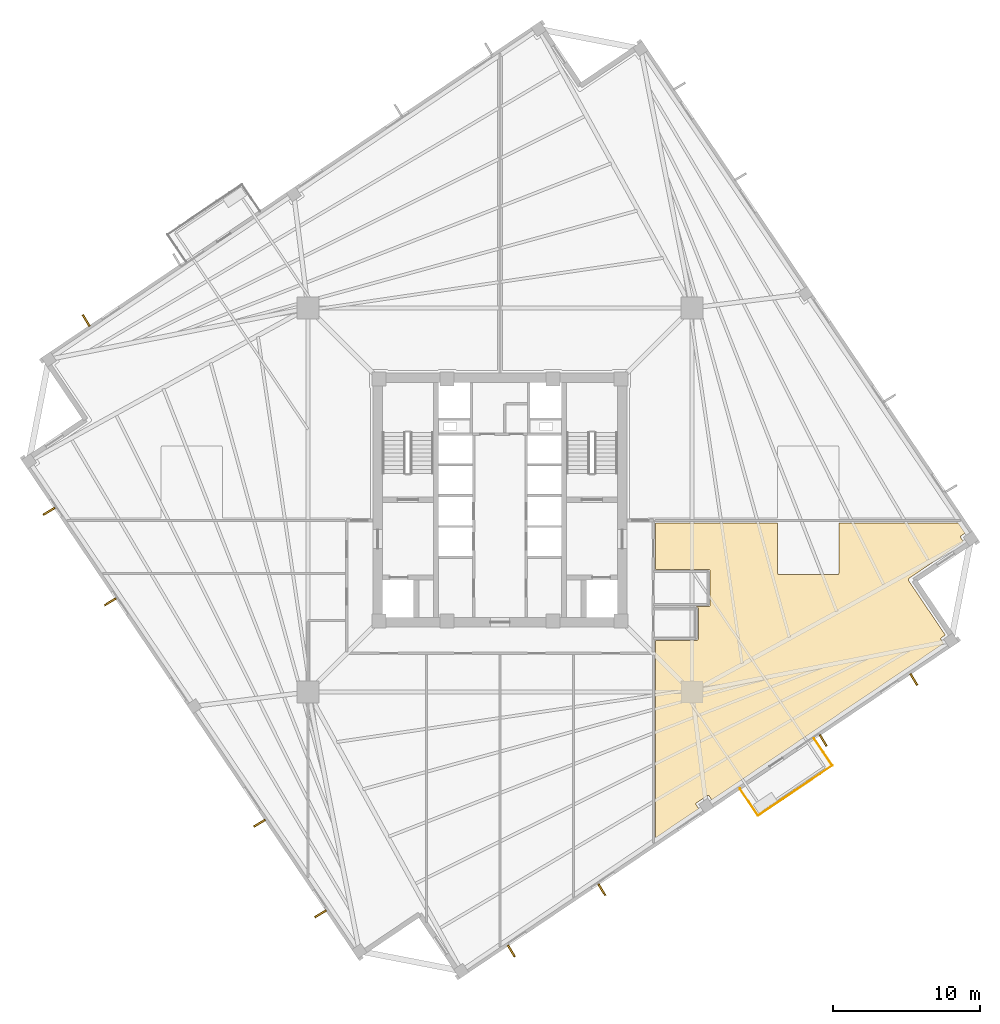
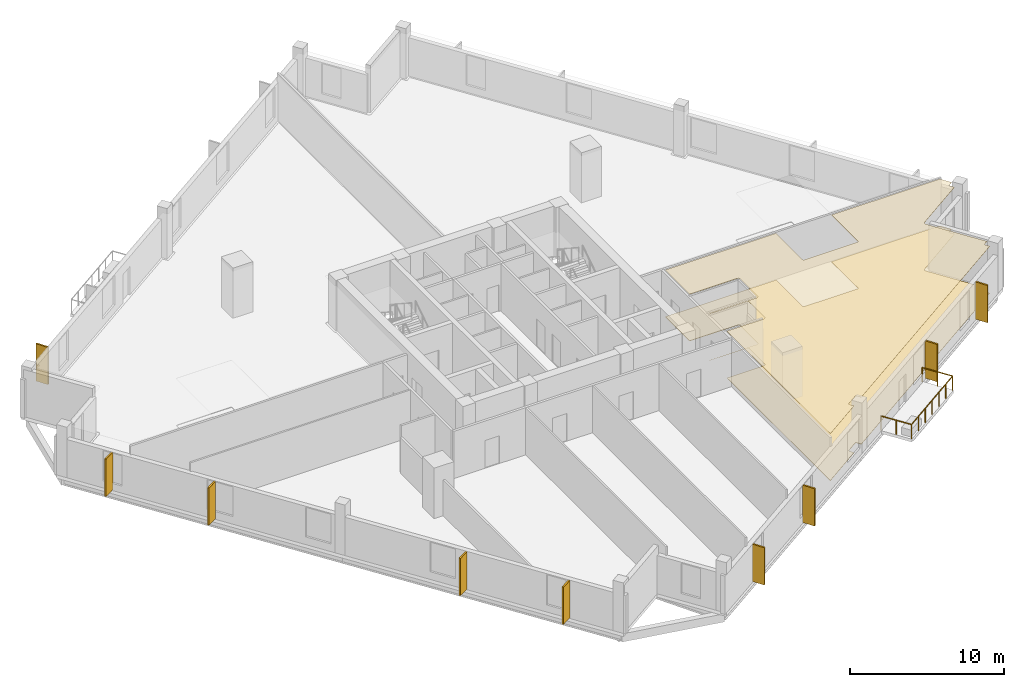
# One storey, part 6 of 8: 11 coverings, 3 railings.
"""IFC4 building model written with IfcOpenShell, lengths in metres."""

from ifc_helpers import new_model, si_unit, direction, frame, origin, origin_2d, place, context, subcontext, project, spatial, polyline, rectangle, circle, outline, extrude, source, transform, mapped, material, layer, layer_set, type_object, element, save


model = new_model("IFC4")

# Units and contexts
model_context = context("Model", 3, precision=1e-05, world=origin(), true_north=direction((0.0, 1.0)))
body_context = subcontext(model_context, "Body", "Model", "MODEL_VIEW")
ifc_project = project(units=[si_unit("LENGTHUNIT", "METRE"), si_unit("AREAUNIT", "SQUARE_METRE"), si_unit("VOLUMEUNIT", "CUBIC_METRE"), si_unit("PLANEANGLEUNIT", "RADIAN"), si_unit("MASSUNIT", "GRAM", prefix="KILO"), si_unit("THERMODYNAMICTEMPERATUREUNIT", "KELVIN")], contexts=[model_context])

# Site, building, storey
site_placement = place(None, origin())
site = spatial("IfcSite", under=ifc_project, at=site_placement, CompositionType="ELEMENT")
building_placement = place(site_placement, origin())
building = spatial("IfcBuilding", under=site, at=building_placement, Name="Kosmvard Interchange Tower", CompositionType="ELEMENT")
storey_placement = place(building_placement, frame((0.0, 0.0, 148.39990234375)))
storey = spatial("IfcBuildingStorey", under=building, at=storey_placement, Name="L35", CompositionType="ELEMENT", Elevation=148.39990234375)

# Coverings
ifc_material_1 = material(Name="Acoustic gypsum ceiling tile")
ifc_layer_1 = layer(ifc_material_1, 0.02490234375, Name="Acoustic gypsum ceiling tile")
ifc_layer_set_1 = layer_set([ifc_layer_1], Name="Acoustic gypsum ceiling tile")
covering_type_1 = type_object("IfcCoveringType", Name="Acoustic Perforated Suspended Ceiling 25", PredefinedType="CEILING", material=ifc_layer_set_1)
covering_1_placement = place(storey_placement, frame((0.0, 0.0, 3.715087890625)))
element("IfcCovering", 1, at=covering_1_placement, inside=storey, type_object=covering_type_1, Name="L35 Acoustic Ceiling L35-OPSE", PredefinedType="CEILING", context=body_context, shape_type="SweptSolid", body=[
    extrude(outline(polyline([(10.60498046875, -10.061279296875), (10.606201171875, -10.06591796875), (10.607666015625, -10.07373046875), (10.60888671875, -10.080810546875), (10.609619140625, -10.088623046875), (10.60986328125, -10.09619140625), (10.610107421875, -10.10009765625), (10.610107421875, -23.0048828125), (13.5390625, -21.029296875), (13.351806640625, -20.75146484375), (13.34765625, -20.744873046875), (13.34423828125, -20.73779296875), (13.341552734375, -20.73046875), (13.339599609375, -20.72265625), (13.33837890625, -20.715087890625), (13.338134765625, -20.70703125), (13.33837890625, -20.69921875), (13.339599609375, -20.69140625), (13.34130859375, -20.683837890625), (13.343994140625, -20.676513671875), (13.347412109375, -20.66943359375), (13.351318359375, -20.66259765625), (13.35595703125, -20.65625), (13.361328125, -20.650390625), (13.366943359375, -20.645263671875), (13.373291015625, -20.640380859375), (14.127685546875, -20.131591796875), (14.134521484375, -20.12744140625), (14.1416015625, -20.124267578125), (14.14892578125, -20.12158203125), (14.156494140625, -20.11962890625), (14.164306640625, -20.118408203125), (14.172119140625, -20.117919921875), (14.179931640625, -20.1181640625), (14.187744140625, -20.119384765625), (14.1953125, -20.121337890625), (14.202880859375, -20.123779296875), (14.2099609375, -20.127197265625), (14.216552734375, -20.131103515625), (14.222900390625, -20.1357421875), (14.228759765625, -20.14111328125), (14.234130859375, -20.14697265625), (14.23876953125, -20.153076171875), (14.42626953125, -20.430908203125), (30.223388671875, -9.775390625), (30.0361328125, -9.497802734375), (30.031982421875, -9.490966796875), (30.028564453125, -9.48388671875), (30.02587890625, -9.4765625), (30.024169921875, -9.468994140625), (30.02294921875, -9.461181640625), (30.0224609375, -9.453369140625), (30.022705078125, -9.445556640625), (30.02392578125, -9.437744140625), (30.02587890625, -9.43017578125), (30.0283203125, -9.4228515625), (30.03173828125, -9.41552734375), (30.03564453125, -9.408935546875), (30.040283203125, -9.402587890625), (30.045654296875, -9.396728515625), (30.051513671875, -9.391357421875), (30.0576171875, -9.38671875), (30.33544921875, -9.199462890625), (27.858154296875, -5.52685546875), (27.856201171875, -5.5234375), (27.852294921875, -5.51708984375), (27.8486328125, -5.51025390625), (27.845458984375, -5.503662109375), (27.84228515625, -5.496337890625), (27.83984375, -5.489501953125), (27.837646484375, -5.48193359375), (27.835693359375, -5.474853515625), (27.834228515625, -5.467041015625), (27.8330078125, -5.459716796875), (27.832275390625, -5.451904296875), (27.831787109375, -5.444580078125), (27.831787109375, -5.436767578125), (27.83203125, -5.429443359375), (27.832763671875, -5.421630859375), (27.833984375, -5.41455078125), (27.83544921875, -5.40673828125), (27.837158203125, -5.3994140625), (27.83935546875, -5.39208984375), (27.841796875, -5.385009765625), (27.844970703125, -5.377685546875), (27.847900390625, -5.37109375), (27.8515625, -5.3642578125), (27.85546875, -5.35791015625), (27.859619140625, -5.351318359375), (27.864013671875, -5.345458984375), (27.869140625, -5.33935546875), (27.8740234375, -5.333740234375), (27.87939453125, -5.328369140625), (27.884765625, -5.3232421875), (27.890869140625, -5.318115234375), (27.89697265625, -5.313720703125), (27.900146484375, -5.3115234375), (31.57275390625, -2.834228515625), (31.38525390625, -2.556640625), (31.38134765625, -2.5498046875), (31.3779296875, -2.542724609375), (31.375244140625, -2.535400390625), (31.373291015625, -2.52783203125), (31.3720703125, -2.52001953125), (31.37158203125, -2.51220703125), (31.3720703125, -2.50439453125), (31.373046875, -2.49658203125), (31.375, -2.489013671875), (31.377685546875, -2.481689453125), (31.380859375, -2.474365234375), (31.385009765625, -2.4677734375), (31.3896484375, -2.46142578125), (31.394775390625, -2.45556640625), (31.400634765625, -2.4501953125), (31.406982421875, -2.445556640625), (31.6845703125, -2.25830078125), (31.213623046875, -1.56005859375), (23.080078125, -1.56005859375), (23.080078125, -5.0), (23.07958984375, -5.0078125), (23.078369140625, -5.015625), (23.07666015625, -5.023193359375), (23.073974609375, -5.030517578125), (23.070556640625, -5.03759765625), (23.06640625, -5.04443359375), (23.061767578125, -5.05078125), (23.056640625, -5.056640625), (23.05078125, -5.061767578125), (23.04443359375, -5.06640625), (23.03759765625, -5.070556640625), (23.030517578125, -5.073974609375), (23.023193359375, -5.07666015625), (23.015625, -5.078369140625), (23.0078125, -5.07958984375), (23.0, -5.080078125), (19.0, -5.080078125), (18.9921875, -5.07958984375), (18.984375, -5.078369140625), (18.976806640625, -5.07666015625), (18.969482421875, -5.073974609375), (18.96240234375, -5.070556640625), (18.95556640625, -5.06640625), (18.94921875, -5.061767578125), (18.943359375, -5.056640625), (18.938232421875, -5.05078125), (18.93359375, -5.04443359375), (18.929443359375, -5.03759765625), (18.926025390625, -5.030517578125), (18.92333984375, -5.023193359375), (18.921630859375, -5.015625), (18.92041015625, -5.0078125), (18.919921875, -5.0), (18.919921875, -1.56005859375), (10.60498046875, -1.56005859375), (10.60498046875, -4.722900390625), (14.169921875, -4.722900390625), (14.173828125, -4.722900390625), (14.1806640625, -4.723388671875), (14.1884765625, -4.72412109375), (14.195068359375, -4.72509765625), (14.20263671875, -4.7265625), (14.209228515625, -4.728271484375), (14.216796875, -4.73046875), (14.222900390625, -4.73291015625), (14.230224609375, -4.73583984375), (14.236328125, -4.738525390625), (14.2431640625, -4.742431640625), (14.248779296875, -4.745849609375), (14.25537109375, -4.750244140625), (14.2607421875, -4.754150390625), (14.266845703125, -4.759033203125), (14.271728515625, -4.763671875), (14.27734375, -4.76904296875), (14.28173828125, -4.77392578125), (14.286865234375, -4.780029296875), (14.290771484375, -4.785400390625), (14.295166015625, -4.7919921875), (14.298583984375, -4.7978515625), (14.30224609375, -4.8046875), (14.30517578125, -4.810791015625), (14.30810546875, -4.81787109375), (14.310302734375, -4.82421875), (14.312744140625, -4.831787109375), (14.314208984375, -4.83837890625), (14.31591796875, -4.845947265625), (14.31689453125, -4.8525390625), (14.317626953125, -4.8603515625), (14.31787109375, -4.866943359375), (14.318115234375, -4.870849609375), (14.318115234375, -7.120849609375), (14.31787109375, -7.124755859375), (14.317626953125, -7.131591796875), (14.31689453125, -7.139404296875), (14.31591796875, -7.14599609375), (14.314208984375, -7.153564453125), (14.312744140625, -7.16015625), (14.310302734375, -7.16748046875), (14.30810546875, -7.173828125), (14.30517578125, -7.18115234375), (14.30224609375, -7.187255859375), (14.298583984375, -7.194091796875), (14.295166015625, -7.199951171875), (14.290771484375, -7.206298828125), (14.286865234375, -7.211669921875), (14.281982421875, -7.2177734375), (14.27734375, -7.22265625), (14.271728515625, -7.228271484375), (14.266845703125, -7.232666015625), (14.2607421875, -7.23779296875), (14.25537109375, -7.24169921875), (14.248779296875, -7.24609375), (14.2431640625, -7.24951171875), (14.236328125, -7.253173828125), (14.230224609375, -7.256103515625), (14.222900390625, -7.259033203125), (14.216796875, -7.26123046875), (14.209228515625, -7.263671875), (14.20263671875, -7.26513671875), (14.195068359375, -7.266845703125), (14.1884765625, -7.267822265625), (14.180419921875, -7.2685546875), (14.173828125, -7.268798828125), (14.169921875, -7.268798828125), (10.60498046875, -7.268798828125), (10.60498046875, -7.27197265625), (13.3701171875, -7.27197265625), (13.3740234375, -7.272216796875), (13.380615234375, -7.2724609375), (13.388427734375, -7.273193359375), (13.39501953125, -7.274169921875), (13.402587890625, -7.275634765625), (13.4091796875, -7.27734375), (13.416748046875, -7.279541015625), (13.423095703125, -7.281982421875), (13.43017578125, -7.284912109375), (13.436279296875, -7.28759765625), (13.443115234375, -7.29150390625), (13.448974609375, -7.294921875), (13.45556640625, -7.29931640625), (13.4609375, -7.30322265625), (13.466796875, -7.30810546875), (13.471923828125, -7.312744140625), (13.477294921875, -7.318115234375), (13.48193359375, -7.322998046875), (13.48681640625, -7.3291015625), (13.49072265625, -7.33447265625), (13.4951171875, -7.341064453125), (13.49853515625, -7.346923828125), (13.502197265625, -7.353759765625), (13.505126953125, -7.35986328125), (13.508056640625, -7.366943359375), (13.510498046875, -7.373291015625), (13.5126953125, -7.380859375), (13.514404296875, -7.38720703125), (13.515869140625, -7.39501953125), (13.516845703125, -7.401611328125), (13.517578125, -7.409423828125), (13.517822265625, -7.416015625), (13.51806640625, -7.419921875), (13.51806640625, -9.419921875), (13.517822265625, -9.423828125), (13.517578125, -9.4306640625), (13.516845703125, -9.4384765625), (13.515869140625, -9.445068359375), (13.514404296875, -9.45263671875), (13.5126953125, -9.459228515625), (13.510498046875, -9.466796875), (13.508056640625, -9.472900390625), (13.505126953125, -9.480224609375), (13.502197265625, -9.486328125), (13.49853515625, -9.4931640625), (13.4951171875, -9.498779296875), (13.49072265625, -9.50537109375), (13.48681640625, -9.5107421875), (13.48193359375, -9.516845703125), (13.477294921875, -9.521728515625), (13.471923828125, -9.52734375), (13.466796875, -9.53173828125), (13.4609375, -9.536865234375), (13.45556640625, -9.540771484375), (13.448974609375, -9.545166015625), (13.443115234375, -9.548583984375), (13.436279296875, -9.55224609375), (13.43017578125, -9.55517578125), (13.423095703125, -9.55810546875), (13.416748046875, -9.560302734375), (13.4091796875, -9.562744140625), (13.402587890625, -9.564208984375), (13.39501953125, -9.56591796875), (13.388427734375, -9.56689453125), (13.380615234375, -9.567626953125), (13.3740234375, -9.56787109375), (13.3701171875, -9.568115234375), (10.60498046875, -9.568115234375), (10.60498046875, -10.061279296875)])), origin(), (0.0, 0.0, 1.0), 0.02490234375),
])
ifc_material_2 = material(Name="Polished terrazzo flooring")
ifc_layer_2 = layer(ifc_material_2, 0.030029296875, Name="Polished terrazzo flooring")
ifc_layer_set_2 = layer_set([ifc_layer_2], Name="Polished terrazzo flooring")
covering_type_2 = type_object("IfcCoveringType", Name="Heavy-Duty Terrazzo & Porcelain Flooring 30", PredefinedType="FLOORING", material=ifc_layer_set_2)
covering_2_placement = place(storey_placement, origin())
element("IfcCovering", 2, at=covering_2_placement, inside=storey, type_object=covering_type_2, Name="L35 Floor Finish L35-OPSE", PredefinedType="FLOORING", context=body_context, shape_type="SweptSolid", body=[
    extrude(outline(polyline([(10.60498046875, -10.061279296875), (10.606201171875, -10.06591796875), (10.607666015625, -10.07373046875), (10.60888671875, -10.080810546875), (10.609619140625, -10.088623046875), (10.60986328125, -10.09619140625), (10.610107421875, -10.10009765625), (10.610107421875, -23.0048828125), (13.5390625, -21.029296875), (13.351806640625, -20.75146484375), (13.34765625, -20.744873046875), (13.34423828125, -20.73779296875), (13.341552734375, -20.73046875), (13.339599609375, -20.72265625), (13.33837890625, -20.715087890625), (13.338134765625, -20.70703125), (13.33837890625, -20.69921875), (13.339599609375, -20.69140625), (13.34130859375, -20.683837890625), (13.343994140625, -20.676513671875), (13.347412109375, -20.66943359375), (13.351318359375, -20.66259765625), (13.35595703125, -20.65625), (13.361328125, -20.650390625), (13.366943359375, -20.645263671875), (13.373291015625, -20.640380859375), (14.127685546875, -20.131591796875), (14.134521484375, -20.12744140625), (14.1416015625, -20.124267578125), (14.14892578125, -20.12158203125), (14.156494140625, -20.11962890625), (14.164306640625, -20.118408203125), (14.172119140625, -20.117919921875), (14.179931640625, -20.1181640625), (14.187744140625, -20.119384765625), (14.1953125, -20.121337890625), (14.202880859375, -20.123779296875), (14.2099609375, -20.127197265625), (14.216552734375, -20.131103515625), (14.222900390625, -20.1357421875), (14.228759765625, -20.14111328125), (14.234130859375, -20.14697265625), (14.23876953125, -20.153076171875), (14.42626953125, -20.430908203125), (30.223388671875, -9.775390625), (30.0361328125, -9.497802734375), (30.031982421875, -9.490966796875), (30.028564453125, -9.48388671875), (30.02587890625, -9.4765625), (30.024169921875, -9.468994140625), (30.02294921875, -9.461181640625), (30.0224609375, -9.453369140625), (30.022705078125, -9.445556640625), (30.02392578125, -9.437744140625), (30.02587890625, -9.43017578125), (30.0283203125, -9.4228515625), (30.03173828125, -9.41552734375), (30.03564453125, -9.408935546875), (30.040283203125, -9.402587890625), (30.045654296875, -9.396728515625), (30.051513671875, -9.391357421875), (30.0576171875, -9.38671875), (30.33544921875, -9.199462890625), (27.858154296875, -5.52685546875), (27.856201171875, -5.5234375), (27.852294921875, -5.51708984375), (27.8486328125, -5.51025390625), (27.845458984375, -5.503662109375), (27.84228515625, -5.496337890625), (27.83984375, -5.489501953125), (27.837646484375, -5.48193359375), (27.835693359375, -5.474853515625), (27.834228515625, -5.467041015625), (27.8330078125, -5.459716796875), (27.832275390625, -5.451904296875), (27.831787109375, -5.444580078125), (27.831787109375, -5.436767578125), (27.83203125, -5.429443359375), (27.832763671875, -5.421630859375), (27.833984375, -5.41455078125), (27.83544921875, -5.40673828125), (27.837158203125, -5.3994140625), (27.83935546875, -5.39208984375), (27.841796875, -5.385009765625), (27.844970703125, -5.377685546875), (27.847900390625, -5.37109375), (27.8515625, -5.3642578125), (27.85546875, -5.35791015625), (27.859619140625, -5.351318359375), (27.864013671875, -5.345458984375), (27.869140625, -5.33935546875), (27.8740234375, -5.333740234375), (27.87939453125, -5.328369140625), (27.884765625, -5.3232421875), (27.890869140625, -5.318115234375), (27.89697265625, -5.313720703125), (27.900146484375, -5.3115234375), (31.57275390625, -2.834228515625), (31.38525390625, -2.556640625), (31.38134765625, -2.5498046875), (31.3779296875, -2.542724609375), (31.375244140625, -2.535400390625), (31.373291015625, -2.52783203125), (31.3720703125, -2.52001953125), (31.37158203125, -2.51220703125), (31.3720703125, -2.50439453125), (31.373046875, -2.49658203125), (31.375, -2.489013671875), (31.377685546875, -2.481689453125), (31.380859375, -2.474365234375), (31.385009765625, -2.4677734375), (31.3896484375, -2.46142578125), (31.394775390625, -2.45556640625), (31.400634765625, -2.4501953125), (31.406982421875, -2.445556640625), (31.6845703125, -2.25830078125), (31.213623046875, -1.56005859375), (23.080078125, -1.56005859375), (23.080078125, -5.0), (23.07958984375, -5.0078125), (23.078369140625, -5.015625), (23.07666015625, -5.023193359375), (23.073974609375, -5.030517578125), (23.070556640625, -5.03759765625), (23.06640625, -5.04443359375), (23.061767578125, -5.05078125), (23.056640625, -5.056640625), (23.05078125, -5.061767578125), (23.04443359375, -5.06640625), (23.03759765625, -5.070556640625), (23.030517578125, -5.073974609375), (23.023193359375, -5.07666015625), (23.015625, -5.078369140625), (23.0078125, -5.07958984375), (23.0, -5.080078125), (19.0, -5.080078125), (18.9921875, -5.07958984375), (18.984375, -5.078369140625), (18.976806640625, -5.07666015625), (18.969482421875, -5.073974609375), (18.96240234375, -5.070556640625), (18.95556640625, -5.06640625), (18.94921875, -5.061767578125), (18.943359375, -5.056640625), (18.938232421875, -5.05078125), (18.93359375, -5.04443359375), (18.929443359375, -5.03759765625), (18.926025390625, -5.030517578125), (18.92333984375, -5.023193359375), (18.921630859375, -5.015625), (18.92041015625, -5.0078125), (18.919921875, -5.0), (18.919921875, -1.56005859375), (10.60498046875, -1.56005859375), (10.60498046875, -4.722900390625), (14.169921875, -4.722900390625), (14.173828125, -4.722900390625), (14.1806640625, -4.723388671875), (14.1884765625, -4.72412109375), (14.195068359375, -4.72509765625), (14.20263671875, -4.7265625), (14.209228515625, -4.728271484375), (14.216796875, -4.73046875), (14.222900390625, -4.73291015625), (14.230224609375, -4.73583984375), (14.236328125, -4.738525390625), (14.2431640625, -4.742431640625), (14.248779296875, -4.745849609375), (14.25537109375, -4.750244140625), (14.2607421875, -4.754150390625), (14.266845703125, -4.759033203125), (14.271728515625, -4.763671875), (14.27734375, -4.76904296875), (14.28173828125, -4.77392578125), (14.286865234375, -4.780029296875), (14.290771484375, -4.785400390625), (14.295166015625, -4.7919921875), (14.298583984375, -4.7978515625), (14.30224609375, -4.8046875), (14.30517578125, -4.810791015625), (14.30810546875, -4.81787109375), (14.310302734375, -4.82421875), (14.312744140625, -4.831787109375), (14.314208984375, -4.83837890625), (14.31591796875, -4.845947265625), (14.31689453125, -4.8525390625), (14.317626953125, -4.8603515625), (14.31787109375, -4.866943359375), (14.318115234375, -4.870849609375), (14.318115234375, -7.120849609375), (14.31787109375, -7.124755859375), (14.317626953125, -7.131591796875), (14.31689453125, -7.139404296875), (14.31591796875, -7.14599609375), (14.314208984375, -7.153564453125), (14.312744140625, -7.16015625), (14.310302734375, -7.16748046875), (14.30810546875, -7.173828125), (14.30517578125, -7.18115234375), (14.30224609375, -7.187255859375), (14.298583984375, -7.194091796875), (14.295166015625, -7.199951171875), (14.290771484375, -7.206298828125), (14.286865234375, -7.211669921875), (14.281982421875, -7.2177734375), (14.27734375, -7.22265625), (14.271728515625, -7.228271484375), (14.266845703125, -7.232666015625), (14.2607421875, -7.23779296875), (14.25537109375, -7.24169921875), (14.248779296875, -7.24609375), (14.2431640625, -7.24951171875), (14.236328125, -7.253173828125), (14.230224609375, -7.256103515625), (14.222900390625, -7.259033203125), (14.216796875, -7.26123046875), (14.209228515625, -7.263671875), (14.20263671875, -7.26513671875), (14.195068359375, -7.266845703125), (14.1884765625, -7.267822265625), (14.180419921875, -7.2685546875), (14.173828125, -7.268798828125), (14.169921875, -7.268798828125), (10.60498046875, -7.268798828125), (10.60498046875, -7.27197265625), (13.3701171875, -7.27197265625), (13.3740234375, -7.272216796875), (13.380615234375, -7.2724609375), (13.388427734375, -7.273193359375), (13.39501953125, -7.274169921875), (13.402587890625, -7.275634765625), (13.4091796875, -7.27734375), (13.416748046875, -7.279541015625), (13.423095703125, -7.281982421875), (13.43017578125, -7.284912109375), (13.436279296875, -7.28759765625), (13.443115234375, -7.29150390625), (13.448974609375, -7.294921875), (13.45556640625, -7.29931640625), (13.4609375, -7.30322265625), (13.466796875, -7.30810546875), (13.471923828125, -7.312744140625), (13.477294921875, -7.318115234375), (13.48193359375, -7.322998046875), (13.48681640625, -7.3291015625), (13.49072265625, -7.33447265625), (13.4951171875, -7.341064453125), (13.49853515625, -7.346923828125), (13.502197265625, -7.353759765625), (13.505126953125, -7.35986328125), (13.508056640625, -7.366943359375), (13.510498046875, -7.373291015625), (13.5126953125, -7.380859375), (13.514404296875, -7.38720703125), (13.515869140625, -7.39501953125), (13.516845703125, -7.401611328125), (13.517578125, -7.409423828125), (13.517822265625, -7.416015625), (13.51806640625, -7.419921875), (13.51806640625, -9.419921875), (13.517822265625, -9.423828125), (13.517578125, -9.4306640625), (13.516845703125, -9.4384765625), (13.515869140625, -9.445068359375), (13.514404296875, -9.45263671875), (13.5126953125, -9.459228515625), (13.510498046875, -9.466796875), (13.508056640625, -9.472900390625), (13.505126953125, -9.480224609375), (13.502197265625, -9.486328125), (13.49853515625, -9.4931640625), (13.4951171875, -9.498779296875), (13.49072265625, -9.50537109375), (13.48681640625, -9.5107421875), (13.48193359375, -9.516845703125), (13.477294921875, -9.521728515625), (13.471923828125, -9.52734375), (13.466796875, -9.53173828125), (13.4609375, -9.536865234375), (13.45556640625, -9.540771484375), (13.448974609375, -9.545166015625), (13.443115234375, -9.548583984375), (13.436279296875, -9.55224609375), (13.43017578125, -9.55517578125), (13.423095703125, -9.55810546875), (13.416748046875, -9.560302734375), (13.4091796875, -9.562744140625), (13.402587890625, -9.564208984375), (13.39501953125, -9.56591796875), (13.388427734375, -9.56689453125), (13.380615234375, -9.567626953125), (13.3740234375, -9.56787109375), (13.3701171875, -9.568115234375), (10.60498046875, -9.568115234375), (10.60498046875, -10.061279296875)])), origin(), (0.0, 0.0, 1.0), 0.030029296875),
])
ifc_material_3 = material(Name="Architectural anodised aluminium", Category="aluminium")
ifc_layer_3 = layer(ifc_material_3, 0.1201171875, Name="Architectural anodised aluminium")
ifc_layer_set_3 = layer_set([ifc_layer_3], Name="Architectural anodised aluminium")
covering_type_3 = type_object("IfcCoveringType", Name="Rotating Vertical Sun-Breaker Fin 900x120 Aluminium", PredefinedType="CLADDING", material=ifc_layer_set_3)
shared_shape_1 = source(origin(), body_context, "Body", "SweptSolid", [
    extrude(rectangle(XDim=0.89990234375, YDim=0.1201171875, at=origin_2d()), origin(), (0.0, 0.0, 1.0), 2.9599609375),
])
for number, where, z_axis, x_axis, name in (
    (3, (0.774169921875, -30.718994140625, 0.0400390625), (0.0, 0.0, 1.0), (0.522796160442, -0.852457726006, 0.0), "L35 Rotating Vertical Sun-Breaker Fin 01"),
    (4, (6.943115234375, -26.557861328125, 0.0400390625), (0.0, 0.0, 1.0), (0.522796160442, -0.852457726006, 0.0), "L35 Rotating Vertical Sun-Breaker Fin 02"),
    (5, (22.02294921875, -16.38623046875, 0.0400390625), (0.0, 0.0, 1.0), (0.522796160442, -0.852457726006, 0.0), "L35 Rotating Vertical Sun-Breaker Fin 03"),
    (6, (28.192138671875, -12.225341796875, 0.0400390625), (0.0, 0.0, 1.0), (0.522796160442, -0.852457726006, 0.0), "L35 Rotating Vertical Sun-Breaker Fin 04"),
    (7, (-28.192138671875, 12.225341796875, 0.0400390625), (0.0, 0.0, 1.0), (-0.522796160442, 0.852457726006, 0.0), "L35 Rotating Vertical Sun-Breaker Fin 12"),
    (8, (-30.718994140625, -0.774169921875, 0.0400390625), (0.0, 0.0, 1.0), (-0.852457726006, -0.522796160442, 0.0), "L35 Rotating Vertical Sun-Breaker Fin 13"),
    (9, (-26.557861328125, -6.943115234375, 0.0400390625), (0.0, 0.0, 1.0), (-0.852457726006, -0.522796160442, 0.0), "L35 Rotating Vertical Sun-Breaker Fin 14"),
    (10, (-16.38623046875, -22.02294921875, 0.0400390625), (0.0, 0.0, 1.0), (-0.852457726006, -0.522796160442, 0.0), "L35 Rotating Vertical Sun-Breaker Fin 15"),
    (11, (-12.225341796875, -28.192138671875, 0.0400390625), (0.0, 0.0, 1.0), (-0.852457726006, -0.522796160442, 0.0), "L35 Rotating Vertical Sun-Breaker Fin 16"),
):
    element("IfcCovering", number, at=place(storey_placement, frame(where, z_axis=z_axis, x_axis=x_axis)), inside=storey, type_object=covering_type_3, Name=name, PredefinedType="CLADDING", context=body_context, shape_type="MappedRepresentation", body=[
        mapped(shared_shape_1, transform((0.0, 0.0, 0.0), scale=1.0)),
    ])

# Railings
ifc_material_4 = material(Name="Steel S355", Category="steel")
railing_type = type_object("IfcRailingType", Name="Observation & Balcony Glass-Infill Balustrade 1150", PredefinedType="BALUSTRADE", material=ifc_material_4)
shared_shape_2 = source(origin(), body_context, "Body", "SweptSolid", [
    extrude(circle(Radius=0.02392578125, at=origin_2d()), frame((0.0, 0.0, 1.1259765625), z_axis=(0.559173597279, -0.829050594418, 0.0), x_axis=(0.829050594418, 0.559173597279, 0.0)), (0.0, 0.0, 1.0), 2.2001953125),
    extrude(circle(Radius=0.02099609375, at=origin_2d()), origin(), (0.0, 0.0, 1.0), 1.101806640625),
    extrude(circle(Radius=0.02099609375, at=origin_2d()), frame((0.615234375, -0.912109375, 0.0)), (0.0, 0.0, 1.0), 1.101806640625),
    extrude(circle(Radius=0.02099609375, at=origin_2d()), frame((1.230224609375, -1.823974609375, 0.0)), (0.0, 0.0, 1.0), 1.101806640625),
])
railing_1_placement = place(storey_placement, frame((16.345458984375, -19.673095703125, 0.0)))
element("IfcRailing", 12, at=railing_1_placement, inside=storey, type_object=railing_type, Name="L35 Outdoor Terrace Guard BAL-L35-SW-A", PredefinedType="BALUSTRADE", context=body_context, shape_type="MappedRepresentation", body=[
    mapped(shared_shape_2, transform((0.0, 0.0, 0.0), scale=1.0)),
])
shared_shape_3 = source(origin(), body_context, "Body", "SweptSolid", [
    extrude(circle(Radius=0.02392578125, at=origin_2d()), frame((0.0, 0.0, 1.1259765625), z_axis=(0.829033294248, 0.55919924627, 0.0), x_axis=(-0.55919924627, 0.829033294248, 0.0)), (0.0, 0.0, 1.0), 6.10009765625),
    extrude(circle(Radius=0.02099609375, at=origin_2d()), origin(), (0.0, 0.0, 1.0), 1.101806640625),
    extrude(circle(Radius=0.02099609375, at=origin_2d()), frame((0.8427734375, 0.568603515625, 0.0)), (0.0, 0.0, 1.0), 1.101806640625),
    extrude(circle(Radius=0.02099609375, at=origin_2d()), frame((1.685791015625, 1.136962890625, 0.0)), (0.0, 0.0, 1.0), 1.101806640625),
    extrude(circle(Radius=0.02099609375, at=origin_2d()), frame((2.528564453125, 1.70556640625, 0.0)), (0.0, 0.0, 1.0), 1.101806640625),
    extrude(circle(Radius=0.02099609375, at=origin_2d()), frame((3.371337890625, 2.274169921875, 0.0)), (0.0, 0.0, 1.0), 1.101806640625),
    extrude(circle(Radius=0.02099609375, at=origin_2d()), frame((4.21435546875, 2.842529296875, 0.0)), (0.0, 0.0, 1.0), 1.101806640625),
    extrude(circle(Radius=0.02099609375, at=origin_2d()), frame((5.05712890625, 3.4111328125, 0.0)), (0.0, 0.0, 1.0), 1.101806640625),
])
railing_2_placement = place(storey_placement, frame((17.57568359375, -21.4970703125, 0.0)))
element("IfcRailing", 13, at=railing_2_placement, inside=storey, type_object=railing_type, Name="L35 Outdoor Terrace Guard BAL-L35-SW-B", PredefinedType="BALUSTRADE", context=body_context, shape_type="MappedRepresentation", body=[
    mapped(shared_shape_3, transform((0.0, 0.0, 0.0), scale=1.0)),
])
shared_shape_4 = source(origin(), body_context, "Body", "SweptSolid", [
    extrude(circle(Radius=0.02392578125, at=origin_2d()), frame((0.0, 0.0, 1.1259765625), z_axis=(-0.559173597279, 0.829050594418, 0.0), x_axis=(-0.829050594418, -0.559173597279, 0.0)), (0.0, 0.0, 1.0), 2.2001953125),
    extrude(circle(Radius=0.02099609375, at=origin_2d()), origin(), (0.0, 0.0, 1.0), 1.101806640625),
    extrude(circle(Radius=0.02099609375, at=origin_2d()), frame((-0.615234375, 0.912109375, 0.0)), (0.0, 0.0, 1.0), 1.101806640625),
    extrude(circle(Radius=0.02099609375, at=origin_2d()), frame((-1.230224609375, 1.823974609375, 0.0)), (0.0, 0.0, 1.0), 1.101806640625),
])
railing_3_placement = place(storey_placement, frame((22.6328125, -18.0859375, 0.0)))
element("IfcRailing", 14, at=railing_3_placement, inside=storey, type_object=railing_type, Name="L35 Outdoor Terrace Guard BAL-L35-SW-C", PredefinedType="BALUSTRADE", context=body_context, shape_type="MappedRepresentation", body=[
    mapped(shared_shape_4, transform((0.0, 0.0, 0.0), scale=1.0)),
])

save(model, "model.ifc")
